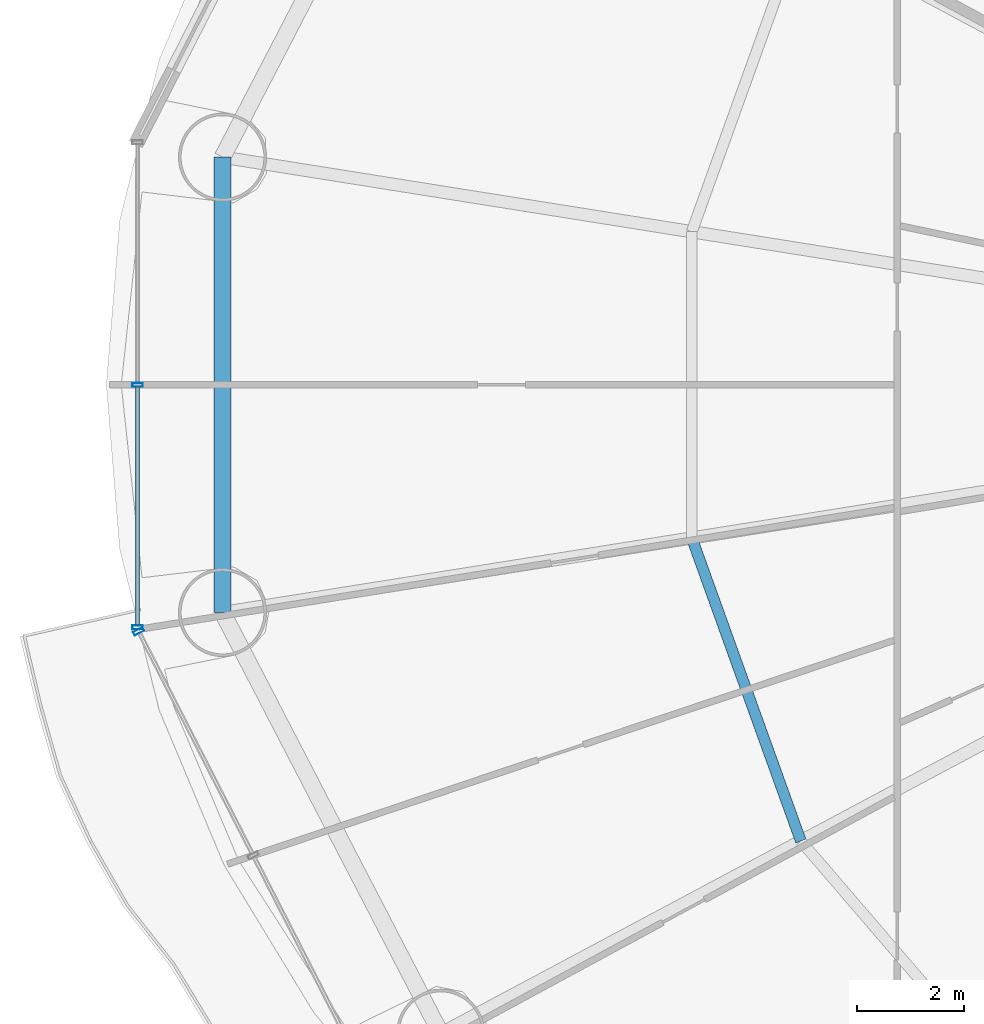
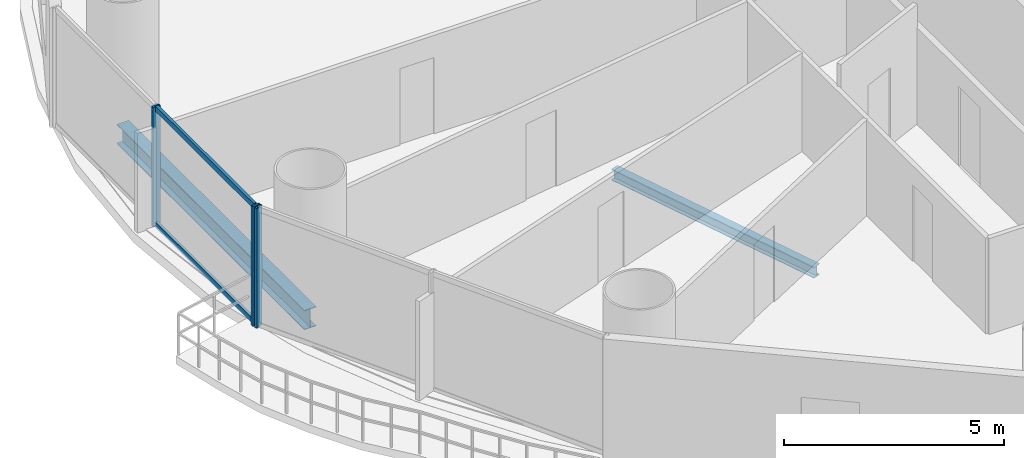
# One storey, part 6 of 29: 5 members, 2 beams, 2 elements without a shape of their own.
"""IFC4 building model written with IfcOpenShell, lengths in metres."""

from ifc_helpers import new_model, si_unit, direction, frame, origin, origin_2d, place, context, subcontext, project, spatial, hollow_rectangle, i_section, extrude, source, transform, mapped, material, material_profile, profile_set, type_object, element, aggregate, save


model = new_model("IFC4")

# Units and contexts
model_context = context("Model", 3, precision=1e-05, world=origin(), true_north=direction((-0.2419218956, 0.970295726276)))
body_context = subcontext(model_context, "Body", "Model", "MODEL_VIEW")
ifc_project = project(units=[si_unit("LENGTHUNIT", "METRE"), si_unit("AREAUNIT", "SQUARE_METRE"), si_unit("VOLUMEUNIT", "CUBIC_METRE"), si_unit("PLANEANGLEUNIT", "RADIAN"), si_unit("MASSUNIT", "GRAM", prefix="KILO")], contexts=[model_context])

# Site, building, storey
site_placement = place(None, origin())
site = spatial("IfcSite", under=ifc_project, at=site_placement, CompositionType="ELEMENT")
building_placement = place(site_placement, origin())
building = spatial("IfcBuilding", under=site, at=building_placement, Name="Cobrevalo Terracotta Tower", CompositionType="ELEMENT")
storey_placement = place(building_placement, frame((0.0, 0.0, 45.60009765625)))
storey = spatial("IfcBuildingStorey", under=building, at=storey_placement, Name="L11", CompositionType="ELEMENT", Elevation=45.60009765625)

# Beams
ifc_material_1 = material(Name="Steel S355", Category="steel")
ifc_material_profile_1 = material_profile(ifc_material_1, i_section(OverallWidth=0.2041015625, OverallDepth=0.305908203125, WebThickness=0.008544921875, FlangeThickness=0.0146484375, at=origin_2d()), Name="W 310x67")
ifc_profile_set_1 = profile_set([ifc_material_profile_1], Name="Steel S355")
beam_type_1 = type_object("IfcBeamType", Name="Structural Joist W 310x67 (Steel S355)", PredefinedType="JOIST", material=ifc_profile_set_1)
beam_1_placement = place(storey_placement, frame((19.960205078125, 23.933349609375, -0.43310546875), z_axis=(0.338672151116, -0.940904444701, 0.0), x_axis=(0.940904444701, 0.338672151116, 0.0)))
element("IfcBeam", 1, at=beam_1_placement, inside=storey, type_object=beam_type_1, Name="L11 circumferential secondary floor joist 09", PredefinedType="JOIST", context=body_context, shape_type="SweptSolid", body=[
    extrude(i_section(OverallWidth=0.2041015625, OverallDepth=0.305908203125, WebThickness=0.008544921875, FlangeThickness=0.0146484375, at=origin_2d()), origin(), (0.0, 0.0, 1.0), 6.029296875),
])
ifc_material_profile_2 = material_profile(ifc_material_1, i_section(OverallWidth=0.31201171875, OverallDepth=0.54296875, WebThickness=0.0126953125, FlangeThickness=0.020263671875, at=origin_2d()), Name="W 530x150")
ifc_profile_set_2 = profile_set([ifc_material_profile_2], Name="Steel S355")
beam_type_2 = type_object("IfcBeamType", Name="Structural Spandrel W 530x150 (Steel S355)", PredefinedType="SPANDREL", material=ifc_profile_set_2)
beam_2_placement = place(storey_placement, frame((11.175537109375, 31.062744140625, -0.551513671875), z_axis=(0.0, -1.0, 0.0), x_axis=(1.0, 0.0, 0.0)))
element("IfcBeam", 2, at=beam_2_placement, inside=storey, type_object=beam_type_2, Name="L11 perimeter ring spandrel 08", PredefinedType="SPANDREL", context=body_context, shape_type="SweptSolid", body=[
    extrude(i_section(OverallWidth=0.31201171875, OverallDepth=0.54296875, WebThickness=0.0126953125, FlangeThickness=0.020263671875, at=origin_2d()), origin(), (0.0, 0.0, 1.0), 8.525390625),
])

# Curtain wall, members
ifc_material_2 = material(Name="Anodized aluminium", Category="aluminium")
curtain_wall_type = type_object("IfcCurtainWallType", Name="Lower-tower unitised acoustic low-E curtain wall CW-U1", PredefinedType="NOTDEFINED", material=ifc_material_2)
curtain_wall_1_placement = place(storey_placement, origin())
curtain_wall_1 = element("IfcCurtainWall", 3, at=curtain_wall_1_placement, inside=storey, type_object=curtain_wall_type, Name="L11 curtain wall CW-L11-S08", PredefinedType="NOTDEFINED")
ifc_material_profile_3 = material_profile(ifc_material_2, hollow_rectangle(XDim=0.074951171875, YDim=0.14990234375, WallThickness=0.00439453125, at=origin_2d()), Name="CWT 75x150")
ifc_profile_set_3 = profile_set([ifc_material_profile_3], Name="Anodized aluminium")
member_type_1 = type_object("IfcMemberType", Name="Tower unitised aluminium transom 75x150", PredefinedType="USERDEFINED", material=ifc_profile_set_3)
shared_shape_1 = source(origin(), body_context, "Body", "SweptSolid", [
    extrude(hollow_rectangle(XDim=0.074951171875, YDim=0.14990234375, WallThickness=0.00439453125, at=origin_2d()), origin(), (0.0, 0.0, 1.0), 4.458740234375),
])
member_1_placement = place(storey_placement, frame((9.586669921875, 26.760009765625, 0.0498046875), z_axis=(0.0, -1.0, 0.0), x_axis=(1.0, 0.0, 0.0)))
member_1 = element("IfcMember", 4, at=member_1_placement, type_object=member_type_1, Name="CW-L11-S08 transom B02-T1", ObjectType="TRANSOM", PredefinedType="USERDEFINED", context=body_context, shape_type="MappedRepresentation", body=[
    mapped(shared_shape_1, transform((0.0, 0.0, 0.0), scale=1.0)),
])
member_2_placement = place(storey_placement, frame((9.586669921875, 26.760009765625, 3.27001953125), z_axis=(0.0, -1.0, 0.0), x_axis=(1.0, 0.0, 0.0)))
member_2 = element("IfcMember", 5, at=member_2_placement, type_object=member_type_1, Name="CW-L11-S08 transom B02-T2", ObjectType="TRANSOM", PredefinedType="USERDEFINED", context=body_context, shape_type="MappedRepresentation", body=[
    mapped(shared_shape_1, transform((0.0, 0.0, 0.0), scale=1.0)),
])
ifc_material_profile_4 = material_profile(ifc_material_2, hollow_rectangle(XDim=0.074951171875, YDim=0.199951171875, WallThickness=0.0048828125, at=origin_2d()), Name="CWM 75x200")
ifc_profile_set_4 = profile_set([ifc_material_profile_4], Name="Anodized aluminium")
member_type_2 = type_object("IfcMemberType", Name="Lower/mid tower unitised mullion 75x200", PredefinedType="MULLION", material=ifc_profile_set_4)
shared_shape_2 = source(origin(), body_context, "Body", "SweptSolid", [
    extrude(hollow_rectangle(XDim=0.074951171875, YDim=0.199951171875, WallThickness=0.0048828125, at=origin_2d()), origin(), (0.0, 0.0, 1.0), 3.31982421875),
])
member_3_placement = place(storey_placement, frame((9.586669921875, 26.800048828125, 0.0), z_axis=(0.0, 0.0, 1.0), x_axis=(0.0, -1.0, 0.0)))
member_3 = element("IfcMember", 6, at=member_3_placement, type_object=member_type_2, Name="CW-L11-S08 vertical mullion 02", PredefinedType="MULLION", context=body_context, shape_type="MappedRepresentation", body=[
    mapped(shared_shape_2, transform((0.0, 0.0, 0.0), scale=1.0)),
])
member_4_placement = place(storey_placement, frame((9.586669921875, 22.26123046875, 0.0), z_axis=(0.0, 0.0, 1.0), x_axis=(0.0, -1.0, 0.0)))
member_4 = element("IfcMember", 7, at=member_4_placement, type_object=member_type_2, Name="CW-L11-S08 vertical mullion 03", PredefinedType="MULLION", context=body_context, shape_type="MappedRepresentation", body=[
    mapped(shared_shape_2, transform((0.0, 0.0, 0.0), scale=1.0)),
])
aggregate(curtain_wall_1, [member_3, member_4, member_1, member_2])

# Curtain wall, member
curtain_wall_2_placement = place(storey_placement, origin())
curtain_wall_2 = element("IfcCurtainWall", 8, at=curtain_wall_2_placement, inside=storey, type_object=curtain_wall_type, Name="L11 curtain wall CW-L11-S09", PredefinedType="NOTDEFINED")
member_5_placement = place(storey_placement, frame((9.60498046875, 22.185546875, 0.0), z_axis=(0.0, 0.0, 1.0), x_axis=(0.455234136597, -0.890371765543, 0.0)))
member_5 = element("IfcMember", 9, at=member_5_placement, type_object=member_type_2, Name="CW-L11-S09 vertical mullion 01", PredefinedType="MULLION", context=body_context, shape_type="MappedRepresentation", body=[
    mapped(shared_shape_2, transform((0.0, 0.0, 0.0), scale=1.0)),
])
aggregate(curtain_wall_2, [member_5])

save(model, "model.ifc")
